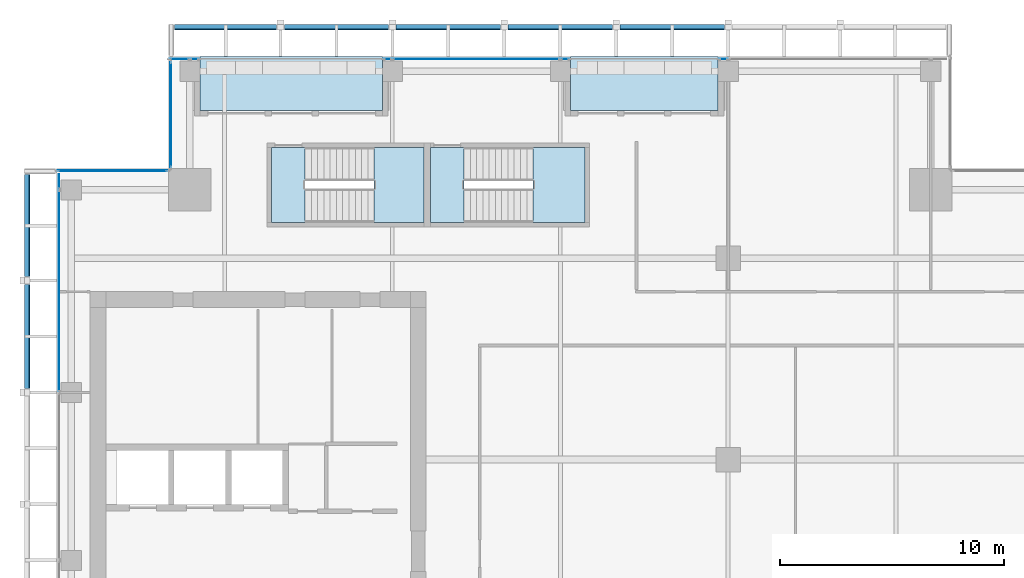
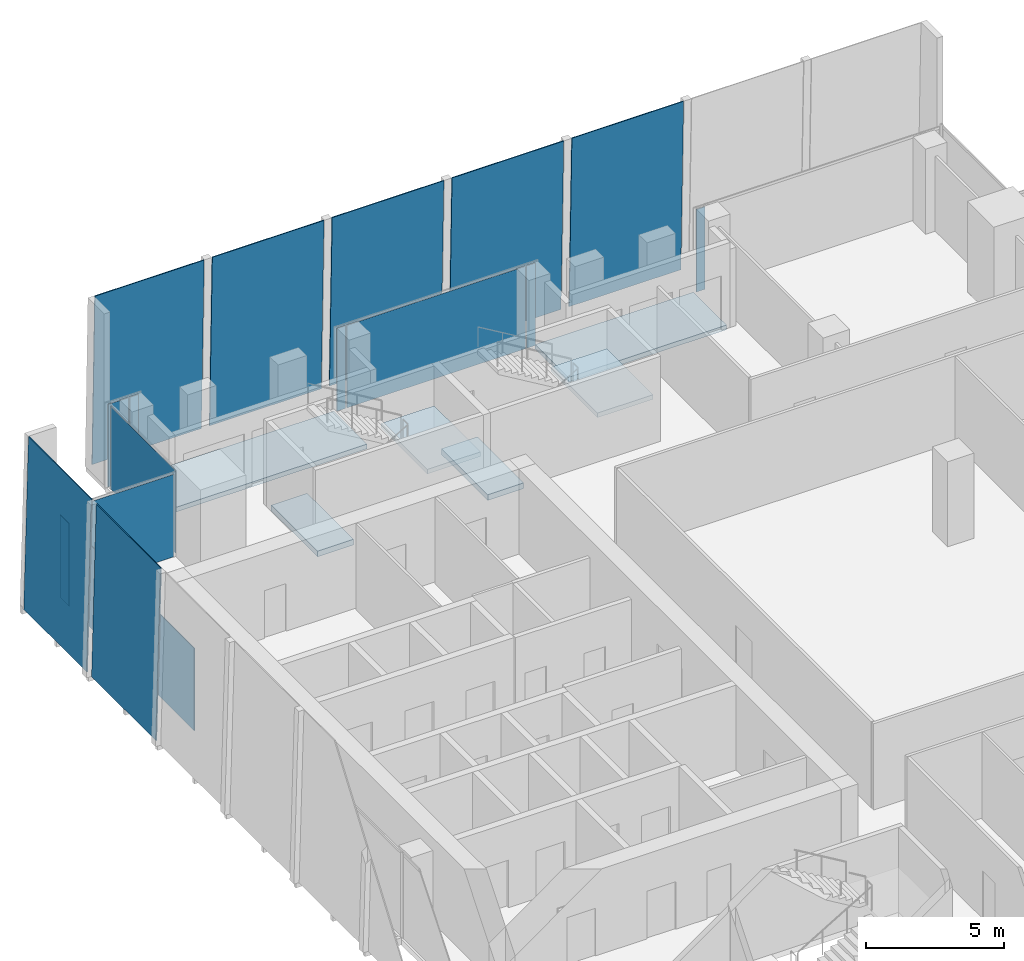
# One storey, part 26 of 35: 17 plates, 6 slabs, 8 elements without a shape of their own.
"""IFC4 building model written with IfcOpenShell, lengths in metres."""

from ifc_helpers import new_model, si_unit, direction, frame, origin, origin_2d, place, context, subcontext, project, spatial, polyline, rectangle, outline, extrude, source, transform, mapped, material, layer, layer_set, type_object, element, aggregate, save


model = new_model("IFC4")

# Units and contexts
model_context = context("Model", 3, precision=1e-05, world=origin(), true_north=direction((0.0, 1.0)))
body_context = subcontext(model_context, "Body", "Model", "MODEL_VIEW")
ifc_project = project(units=[si_unit("LENGTHUNIT", "METRE"), si_unit("AREAUNIT", "SQUARE_METRE"), si_unit("VOLUMEUNIT", "CUBIC_METRE"), si_unit("PLANEANGLEUNIT", "RADIAN"), si_unit("MASSUNIT", "GRAM", prefix="KILO")], contexts=[model_context])

# Site, building, storey
site_placement = place(None, origin())
site = spatial("IfcSite", under=ifc_project, at=site_placement, CompositionType="ELEMENT")
building_placement = place(site_placement, origin())
building = spatial("IfcBuilding", under=site, at=building_placement, Name="Khomas Fold Tower", CompositionType="ELEMENT")
storey_placement = place(building_placement, frame((0.0, 0.0, 266.199951171875)))
storey = spatial("IfcBuildingStorey", under=building, at=storey_placement, Name="L60", CompositionType="ELEMENT", Elevation=266.199951171875)

# Plates
ifc_material_1 = material(Name="Clear laminated glass", Category="glass")
ifc_layer_1 = layer(ifc_material_1, 0.0400390625)
ifc_layer_set_1 = layer_set([ifc_layer_1], Name="Clear laminated glass")
plate_type_1 = type_object("IfcPlateType", Name="SK-Clear laminated glass leaf", PredefinedType="SHEET", material=ifc_layer_set_1)
plate_1_placement = place(storey_placement, frame((9.77001953125, 50.92724609375, 0.0009765625), z_axis=(0.0, 0.99965715546, 0.026183421048), x_axis=(1.0, 0.0, 0.0)))
element("IfcPlate", 1, at=plate_1_placement, inside=storey, type_object=plate_type_1, Name="OUTER SKIN glass L60 N1", PredefinedType="SHEET", context=body_context, shape_type="SweptSolid", body=[
    extrude(outline(polyline([(0.0, 0.0), (4.56005859375, 0.0), (4.56005859375, -7.552638208898188), (0.0, -7.552638208898188), (0.0, 0.0)])), origin(), (0.0, 0.0, -1.0), 0.0400390625),
])
for number, where, z_axis, x_axis, name in (
    (2, (14.669921875, 50.92724609375, 0.0009765625), (0.0, 0.99965715546, 0.026183421048), (1.0, 0.0, 0.0), "OUTER SKIN glass L60 N3"),
    (3, (19.669921875, 50.92724609375, 0.0009765625), (0.0, 0.99965715546, 0.026183421048), (1.0, 0.0, 0.0), "OUTER SKIN glass L60 N5"),
    (4, (24.669921875, 50.92724609375, 0.0009765625), (0.0, 0.99965715546, 0.026183421048), (1.0, 0.0, 0.0), "OUTER SKIN glass L60 N7"),
    (5, (29.669921875, 50.92724609375, 0.0009765625), (0.0, 0.99965715546, 0.026183421048), (1.0, 0.0, 0.0), "OUTER SKIN glass L60 N9"),
    (6, (3.07275390625, 34.669921875, 0.0009765625), (-0.99965715546, 0.0, 0.026183421048), (0.0, 1.0, 0.0), "OUTER SKIN glass L60 W11"),
):
    element("IfcPlate", number, at=place(storey_placement, frame(where, z_axis=z_axis, x_axis=x_axis)), inside=storey, type_object=plate_type_1, Name=name, PredefinedType="SHEET", context=body_context, shape_type="SweptSolid", body=[
        extrude(outline(polyline([(0.0, 0.0), (4.66015625, 0.0), (4.66015625, -7.552638208898188), (0.0, -7.552638208898188), (0.0, 0.0)])), origin(), (0.0, 0.0, -1.0), 0.0400390625),
    ])
plate_2_placement = place(storey_placement, frame((3.07275390625, 39.669921875, 0.0009765625), z_axis=(-0.99965715546, 0.0, 0.026183421048), x_axis=(0.0, 1.0, 0.0)))
element("IfcPlate", 7, at=plate_2_placement, inside=storey, type_object=plate_type_1, Name="OUTER SKIN glass L60 W13", PredefinedType="SHEET", context=body_context, shape_type="SweptSolid", body=[
    extrude(outline(polyline([(0.0, 0.0), (4.56005859375, 0.0), (4.56005859375, -7.552638208898188), (0.0, -7.552638208898188), (0.0, 0.0)])), origin(), (0.0, 0.0, -1.0), 0.0400390625),
])

# Curtain wall, plate
ifc_material_2 = material(Name="Aluminium framed double glazing", Category="aluminium")
curtain_wall_type = type_object("IfcCurtainWallType", Name="SK-Unitised clear-glass wall, office floors CW2", PredefinedType="NOTDEFINED", material=ifc_material_2)
curtain_wall_1_placement = place(storey_placement, origin())
curtain_wall_1 = element("IfcCurtainWall", 8, at=curtain_wall_1_placement, inside=storey, type_object=curtain_wall_type, Name="CW2 run L60 09-0", PredefinedType="NOTDEFINED")
ifc_material_3 = material(Name="Clear double glazed unit")
ifc_layer_2 = layer(ifc_material_3, 0.030029296875)
ifc_layer_set_2 = layer_set([ifc_layer_2], Name="Clear double glazed unit")
plate_type_2 = type_object("IfcPlateType", Name="SK-Unitised clear-glass wall, office floors glass panel CW2-P", PredefinedType="CURTAIN_PANEL", material=ifc_layer_set_2)
shared_shape_1 = source(origin(), body_context, "Body", "SweptSolid", [
    extrude(rectangle(XDim=0.659912109375, YDim=0.030029296875, at=origin_2d()), origin(), (0.0, 0.0, 1.0), 3.639892578125),
])
plate_3_placement = place(storey_placement, frame((4.60009765625, 43.909912109375, 0.0), z_axis=(0.0, 0.0, 1.0), x_axis=(0.0, -1.0, 0.0)))
plate_3 = element("IfcPlate", 9, at=plate_3_placement, type_object=plate_type_2, Name="CW2 glass panel 1", PredefinedType="CURTAIN_PANEL", context=body_context, shape_type="MappedRepresentation", body=[
    mapped(shared_shape_1, transform((0.0, 0.0, 0.0))),
])

curtain_wall_2_placement = place(storey_placement, origin())
curtain_wall_2 = element("IfcCurtainWall", 10, at=curtain_wall_2_placement, inside=storey, type_object=curtain_wall_type, Name="CW2 run L60 06-1", PredefinedType="NOTDEFINED")
shared_shape_2 = source(origin(), body_context, "Body", "SweptSolid", [
    extrude(rectangle(XDim=7.43994140625, YDim=0.030029296875, at=origin_2d()), origin(), (0.0, 0.0, 1.0), 3.639892578125),
])
plate_4_placement = place(storey_placement, frame((23.25, 49.39990234375, 0.0), z_axis=(0.0, 0.0, 1.0), x_axis=(-1.0, 0.0, 0.0)))
plate_4 = element("IfcPlate", 11, at=plate_4_placement, type_object=plate_type_2, Name="CW2 glass panel 2", PredefinedType="CURTAIN_PANEL", context=body_context, shape_type="MappedRepresentation", body=[
    mapped(shared_shape_2, transform((0.0, 0.0, 0.0))),
])

curtain_wall_3_placement = place(storey_placement, origin())
curtain_wall_3 = element("IfcCurtainWall", 12, at=curtain_wall_3_placement, inside=storey, type_object=curtain_wall_type, Name="CW2 run L60 06-2", PredefinedType="NOTDEFINED")
shared_shape_3 = source(origin(), body_context, "Body", "SweptSolid", [
    extrude(rectangle(XDim=0.860107421875, YDim=0.030029296875, at=origin_2d()), origin(), (0.0, 0.0, 1.0), 3.639892578125),
])
plate_5_placement = place(storey_placement, frame((9.989990234375, 49.39990234375, 0.0), z_axis=(0.0, 0.0, 1.0), x_axis=(-1.0, 0.0, 0.0)))
plate_5 = element("IfcPlate", 13, at=plate_5_placement, type_object=plate_type_2, Name="CW2 glass panel 2", PredefinedType="CURTAIN_PANEL", context=body_context, shape_type="MappedRepresentation", body=[
    mapped(shared_shape_3, transform((0.0, 0.0, 0.0))),
])

# Plate
shared_shape_4 = source(origin(), body_context, "Body", "SweptSolid", [
    extrude(rectangle(XDim=8.989990234375, YDim=0.030029296875, at=origin_2d()), origin(), (0.0, 0.0, 1.0), 3.639892578125),
])
plate_6_placement = place(storey_placement, frame((4.60009765625, 39.02490234375, 0.0), z_axis=(0.0, 0.0, 1.0), x_axis=(0.0, -1.0, 0.0)))
plate_6 = element("IfcPlate", 14, at=plate_6_placement, type_object=plate_type_2, Name="CW2 glass panel 2", PredefinedType="CURTAIN_PANEL", context=body_context, shape_type="MappedRepresentation", body=[
    mapped(shared_shape_4, transform((0.0, 0.0, 0.0))),
])

aggregate(curtain_wall_1, [plate_3, plate_6])

# Curtain wall, plate
curtain_wall_4_placement = place(storey_placement, origin())
curtain_wall_4 = element("IfcCurtainWall", 15, at=curtain_wall_4_placement, inside=storey, type_object=curtain_wall_type, Name="CW2 corner return L60 07", PredefinedType="NOTDEFINED")
shared_shape_5 = source(origin(), body_context, "Body", "SweptSolid", [
    extrude(rectangle(XDim=4.679931640625, YDim=0.030029296875, at=origin_2d()), origin(), (0.0, 0.0, 1.0), 3.639892578125),
])
plate_7_placement = place(storey_placement, frame((9.60009765625, 46.89990234375, 0.0), z_axis=(0.0, 0.0, 1.0), x_axis=(0.0, -1.0, 0.0)))
plate_7 = element("IfcPlate", 16, at=plate_7_placement, type_object=plate_type_2, Name="CW2 glass panel 1", PredefinedType="CURTAIN_PANEL", context=body_context, shape_type="MappedRepresentation", body=[
    mapped(shared_shape_5, transform((0.0, 0.0, 0.0))),
])
aggregate(curtain_wall_4, [plate_7])

curtain_wall_5_placement = place(storey_placement, origin())
curtain_wall_5 = element("IfcCurtainWall", 17, at=curtain_wall_5_placement, inside=storey, type_object=curtain_wall_type, Name="CW2 corner return L60 08", PredefinedType="NOTDEFINED")
shared_shape_6 = source(origin(), body_context, "Body", "SweptSolid", [
    extrude(rectangle(XDim=4.8798828125, YDim=0.030029296875, at=origin_2d()), origin(), (0.0, 0.0, 1.0), 3.639892578125),
])
plate_8_placement = place(storey_placement, frame((7.0, 44.39990234375, 0.0), z_axis=(0.0, 0.0, 1.0), x_axis=(-1.0, 0.0, 0.0)))
plate_8 = element("IfcPlate", 18, at=plate_8_placement, type_object=plate_type_2, Name="CW2 glass panel 1", PredefinedType="CURTAIN_PANEL", context=body_context, shape_type="MappedRepresentation", body=[
    mapped(shared_shape_6, transform((0.0, 0.0, 0.0))),
])
aggregate(curtain_wall_5, [plate_8])

curtain_wall_6_placement = place(storey_placement, origin())
curtain_wall_6 = element("IfcCurtainWall", 19, at=curtain_wall_6_placement, inside=storey, type_object=curtain_wall_type, Name="CW2 run L60 06-0", PredefinedType="NOTDEFINED")
shared_shape_7 = source(origin(), body_context, "Body", "SweptSolid", [
    extrude(rectangle(XDim=0.360107421875, YDim=0.030029296875, at=origin_2d()), origin(), (0.0, 0.0, 1.0), 3.639892578125),
])
plate_9_placement = place(storey_placement, frame((34.2900390625, 49.39990234375, 0.0), z_axis=(0.0, 0.0, 1.0), x_axis=(-1.0, 0.0, 0.0)))
plate_9 = element("IfcPlate", 20, at=plate_9_placement, type_object=plate_type_2, Name="CW2 glass panel 3", PredefinedType="CURTAIN_PANEL", context=body_context, shape_type="MappedRepresentation", body=[
    mapped(shared_shape_7, transform((0.0, 0.0, 0.0))),
])
aggregate(curtain_wall_6, [plate_9])

# Plate
plate_10_placement = place(storey_placement, frame((27.2099609375, 49.39990234375, 0.0), z_axis=(0.0, 0.0, 1.0), x_axis=(-1.0, 0.0, 0.0)))
plate_10 = element("IfcPlate", 21, at=plate_10_placement, type_object=plate_type_2, Name="CW2 glass panel 1", PredefinedType="CURTAIN_PANEL", context=body_context, shape_type="MappedRepresentation", body=[
    mapped(shared_shape_7, transform((0.0, 0.0, 0.0))),
])

plate_11_placement = place(storey_placement, frame((19.2900390625, 49.39990234375, 0.0), z_axis=(0.0, 0.0, 1.0), x_axis=(-1.0, 0.0, 0.0)))
plate_11 = element("IfcPlate", 22, at=plate_11_placement, type_object=plate_type_2, Name="CW2 glass panel 3", PredefinedType="CURTAIN_PANEL", context=body_context, shape_type="MappedRepresentation", body=[
    mapped(shared_shape_7, transform((0.0, 0.0, 0.0))),
])

aggregate(curtain_wall_2, [plate_10, plate_4, plate_11])

plate_12_placement = place(storey_placement, frame((10.659912109375, 49.39990234375, 0.0), z_axis=(0.0, 0.0, 1.0), x_axis=(-1.0, 0.0, 0.0)))
plate_12 = element("IfcPlate", 23, at=plate_12_placement, type_object=plate_type_2, Name="CW2 glass panel 1", PredefinedType="CURTAIN_PANEL", context=body_context, shape_type="MappedRepresentation", body=[
    mapped(shared_shape_7, transform((0.0, 0.0, 0.0))),
])

aggregate(curtain_wall_3, [plate_12, plate_5])

# Slabs
ifc_material_4 = material(Name="Concrete C40/50", Category="concrete")
ifc_layer_3 = layer(ifc_material_4, 0.205078125)
ifc_layer_set_3 = layer_set([ifc_layer_3], Name="Concrete C40/50")
slab_type_1 = type_object("IfcSlabType", Name="BL-Balcony deck 205", PredefinedType="FLOOR", material=ifc_layer_set_3)
shared_shape_8 = source(origin(), body_context, "Body", "SweptSolid", [
    extrude(outline(polyline([(10.89990234375, 47.10009765625), (19.050048828125, 47.10009765625), (19.050048828125, 49.5), (10.89990234375, 49.5), (10.89990234375, 47.10009765625)])), origin(), (0.0, 0.0, 1.0), 0.205078125),
])
slab_1_placement = place(storey_placement, frame((0.0, 0.0, -0.25)))
element("IfcSlab", 24, at=slab_1_placement, inside=storey, type_object=slab_type_1, Name="Balcony deck BAL-L60-N1", PredefinedType="FLOOR", context=body_context, shape_type="MappedRepresentation", body=[
    mapped(shared_shape_8, transform((0.0, 0.0, 0.0))),
])
shared_shape_9 = source(origin(), body_context, "Body", "SweptSolid", [
    extrude(outline(polyline([(27.449951171875, 47.10009765625), (34.050048828125, 47.10009765625), (34.050048828125, 49.5), (27.449951171875, 49.5), (27.449951171875, 47.10009765625)])), origin(), (0.0, 0.0, 1.0), 0.205078125),
])
slab_2_placement = place(storey_placement, frame((0.0, 0.0, -0.25)))
element("IfcSlab", 25, at=slab_2_placement, inside=storey, type_object=slab_type_1, Name="Balcony deck BAL-L60-N3", PredefinedType="FLOOR", context=body_context, shape_type="MappedRepresentation", body=[
    mapped(shared_shape_9, transform((0.0, 0.0, 0.0))),
])

# Stair, slab
ifc_material_5 = material(Name="Concrete C40/50", Category="concrete")
stair_type_1 = type_object("IfcStairType", Name="Stair ST1", PredefinedType="HALF_TURN_STAIR", material=ifc_material_5)
stair_1_placement = place(storey_placement, origin())
stair_1 = element("IfcStair", 26, at=stair_1_placement, inside=storey, type_object=stair_type_1, Name="L60 ST1", PredefinedType="HALF_TURN_STAIR")
ifc_material_6 = material(Name="Concrete C40/50", Category="concrete")
ifc_layer_4 = layer(ifc_material_6, 0.199951171875)
ifc_layer_set_4 = layer_set([ifc_layer_4], Name="Concrete C40/50")
slab_type_2 = type_object("IfcSlabType", Name="Stair landing 200", PredefinedType="LANDING", material=ifc_layer_set_4)
shared_shape_10 = source(origin(), body_context, "Body", "SweptSolid", [
    extrude(outline(polyline([(18.679931640625, 42.10009765625), (20.89990234375, 42.10009765625), (20.89990234375, 45.449951171875), (18.679931640625, 45.449951171875), (18.679931640625, 42.10009765625)])), origin(), (0.0, 0.0, 1.0), 0.199951171875),
])
slab_3_placement = place(storey_placement, frame((0.0, 0.0, 1.800048828125)))
slab_3 = element("IfcSlab", 27, at=slab_3_placement, type_object=slab_type_2, Name="ST1 landing 1", PredefinedType="LANDING", context=body_context, shape_type="MappedRepresentation", body=[
    mapped(shared_shape_10, transform((0.0, 0.0, 0.0))),
])
aggregate(stair_1, [slab_3])

# Slab
ifc_material_7 = material(Name="Concrete C40/50", Category="concrete")
ifc_layer_5 = layer(ifc_material_7, 0.25)
ifc_layer_set_5 = layer_set([ifc_layer_5], Name="Concrete C40/50")
slab_type_3 = type_object("IfcSlabType", Name="Stair floor landing 250", PredefinedType="LANDING", material=ifc_layer_set_5)
shared_shape_11 = source(origin(), body_context, "Body", "SweptSolid", [
    extrude(outline(polyline([(15.60009765625, 42.10009765625), (14.10009765625, 42.10009765625), (14.10009765625, 45.449951171875), (15.60009765625, 45.449951171875), (15.60009765625, 42.10009765625)])), origin(), (0.0, 0.0, 1.0), 0.25),
])
slab_4_placement = place(storey_placement, frame((0.0, 0.0, -0.25)))
element("IfcSlab", 28, at=slab_4_placement, inside=storey, type_object=slab_type_3, Name="ST1 floor landing", PredefinedType="LANDING", context=body_context, shape_type="MappedRepresentation", body=[
    mapped(shared_shape_11, transform((0.0, 0.0, 0.0))),
])

# Stair, slab
ifc_material_8 = material(Name="Concrete C40/50", Category="concrete")
stair_type_2 = type_object("IfcStairType", Name="Stair ST3", PredefinedType="HALF_TURN_STAIR", material=ifc_material_8)
stair_2_placement = place(storey_placement, origin())
stair_2 = element("IfcStair", 29, at=stair_2_placement, inside=storey, type_object=stair_type_2, Name="L60 ST3", PredefinedType="HALF_TURN_STAIR")
shared_shape_12 = source(origin(), body_context, "Body", "SweptSolid", [
    extrude(outline(polyline([(25.780029296875, 42.10009765625), (28.10009765625, 42.10009765625), (28.10009765625, 45.449951171875), (25.780029296875, 45.449951171875), (25.780029296875, 42.10009765625)])), origin(), (0.0, 0.0, 1.0), 0.199951171875),
])
slab_5_placement = place(storey_placement, frame((0.0, 0.0, 1.800048828125)))
slab_5 = element("IfcSlab", 30, at=slab_5_placement, type_object=slab_type_2, Name="ST3 landing 1", PredefinedType="LANDING", context=body_context, shape_type="MappedRepresentation", body=[
    mapped(shared_shape_12, transform((0.0, 0.0, 0.0))),
])
aggregate(stair_2, [slab_5])

# Slab
shared_shape_13 = source(origin(), body_context, "Body", "SweptSolid", [
    extrude(outline(polyline([(22.699951171875, 42.10009765625), (21.199951171875, 42.10009765625), (21.199951171875, 45.449951171875), (22.699951171875, 45.449951171875), (22.699951171875, 42.10009765625)])), origin(), (0.0, 0.0, 1.0), 0.25),
])
slab_6_placement = place(storey_placement, frame((0.0, 0.0, -0.25)))
element("IfcSlab", 31, at=slab_6_placement, inside=storey, type_object=slab_type_3, Name="ST3 floor landing", PredefinedType="LANDING", context=body_context, shape_type="MappedRepresentation", body=[
    mapped(shared_shape_13, transform((0.0, 0.0, 0.0))),
])

save(model, "model.ifc")
